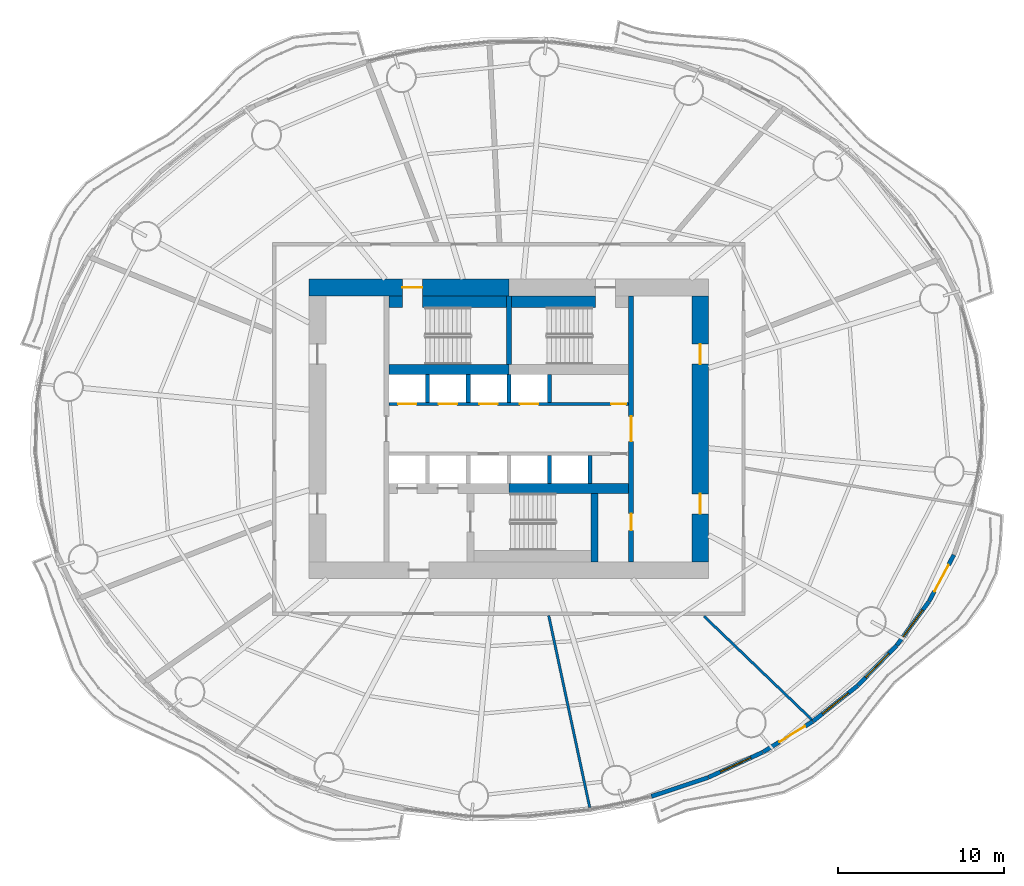
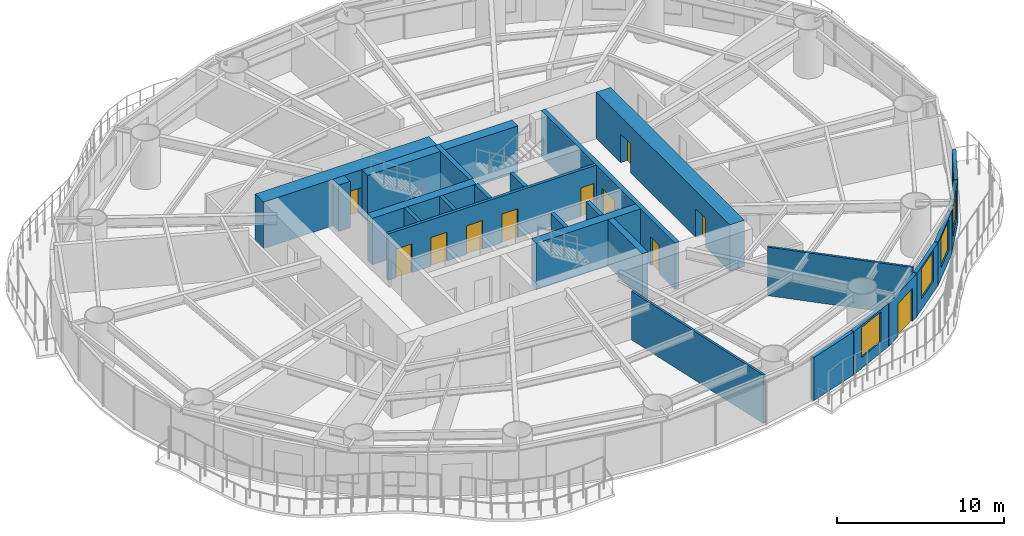
# One storey, part 9 of 16: 26 walls, 12 doors, 4 windows, 16 openings.
"""IFC4 building model written with IfcOpenShell, lengths in metres."""

from ifc_helpers import new_model, si_unit, direction, frame, frame_2d, origin, place, context, subcontext, project, spatial, rectangle, extrude, material, layer, layer_set, type_object, element, fill, save


model = new_model("IFC4")

# Units and contexts
model_context = context("Model", 3, precision=1e-05, world=origin(), true_north=direction((0.0, 1.0)))
body_context = subcontext(model_context, "Body", "Model", "MODEL_VIEW")
ifc_project = project(units=[si_unit("LENGTHUNIT", "METRE"), si_unit("AREAUNIT", "SQUARE_METRE"), si_unit("VOLUMEUNIT", "CUBIC_METRE"), si_unit("PLANEANGLEUNIT", "RADIAN"), si_unit("MASSUNIT", "GRAM", prefix="KILO")], contexts=[model_context])

# Site, building, storey
site_placement = place(None, origin())
site = spatial("IfcSite", under=ifc_project, at=site_placement, CompositionType="ELEMENT")
building_placement = place(site_placement, origin())
building = spatial("IfcBuilding", under=site, at=building_placement, Name="Vermilion Reach Broadcast Tower", CompositionType="ELEMENT")
storey_placement = place(building_placement, frame((0.0, 0.0, 47.10009765625)))
storey = spatial("IfcBuildingStorey", under=building, at=storey_placement, Name="L08", CompositionType="ELEMENT", Elevation=47.10009765625)

# Wall, openings, doors
ifc_material_1 = material(Name="Concrete C70", Category="concrete")
ifc_layer_1 = layer(ifc_material_1, 0.300048828125)
ifc_layer_set_1 = layer_set([ifc_layer_1], Name="Core inner wall 300 mm Concrete C70")
wall_type_1 = type_object("IfcWallType", Name="Core inner wall 300 mm Concrete C70", PredefinedType="SHEAR", material=ifc_layer_set_1)
wall_1_placement = place(storey_placement, frame((1.35009765625, -8.0, 0.0), z_axis=(0.0, 0.0, 1.0), x_axis=(0.0, 1.0, 0.0)))
wall_1 = element("IfcWall", 1, at=wall_1_placement, inside=storey, type_object=wall_type_1, Name="L08 core wall ewE", PredefinedType="SHEAR", context=body_context, shape_type="SweptSolid", body=[
    extrude(rectangle(XDim=16.0, YDim=0.300048828125, at=frame_2d((8.0, 0.0))), origin(), (0.0, 0.0, 1.0), 3.39990234375),
])
opening_1_placement = place(wall_1_placement, frame((1.909912109375, 0.0, 0.0)))
opening_1 = element("IfcOpeningElement", 2, at=opening_1_placement, cuts=wall_1, Name="Opening D05", PredefinedType="OPENING", context=body_context, shape_type="SweptSolid", body=[
    extrude(rectangle(XDim=1.0, YDim=2.10009765625, at=frame_2d((0.5, 1.050048828125))), frame((0.0, 0.159912109375, 0.0), z_axis=(0.0, -1.0, 0.0), x_axis=(1.0, 0.0, 0.0)), (0.0, 0.0, 1.0), 0.320068359375),
])
opening_2_placement = place(wall_1_placement, frame((7.25, 0.0, 0.0)))
opening_2 = element("IfcOpeningElement", 3, at=opening_2_placement, cuts=wall_1, Name="Opening D04", PredefinedType="OPENING", context=body_context, shape_type="SweptSolid", body=[
    extrude(rectangle(XDim=1.5, YDim=2.10009765625, at=frame_2d((0.75, 1.050048828125))), frame((0.0, 0.159912109375, 0.0), z_axis=(0.0, -1.0, 0.0), x_axis=(1.0, 0.0, 0.0)), (0.0, 0.0, 1.0), 0.320068359375),
])
ifc_material_2 = material(Name="Painted steel fire door", Category="steel")
door_type_1 = type_object("IfcDoorType", Name="Lift lobby door 1500 x 2100", OperationType="DOUBLE_DOOR_SINGLE_SWING", PredefinedType="NOTDEFINED", material=ifc_material_2)
door_1_placement = place(opening_2_placement, origin())
door_1 = element("IfcDoor", 4, at=door_1_placement, inside=storey, type_object=door_type_1, Name="L08 band door BE", OperationType="DOUBLE_DOOR_SINGLE_SWING", OverallHeight=2.10009765625, OverallWidth=1.5, PredefinedType="NOTDEFINED", context=body_context, shape_type="SweptSolid", body=[
    extrude(rectangle(XDim=1.5, YDim=2.10009765625, at=frame_2d((0.75, 1.050048828125))), frame((0.0, 0.02490234375, 0.0), z_axis=(0.0, -1.0, 0.0), x_axis=(1.0, 0.0, 0.0)), (0.0, 0.0, 1.0), 0.050048828125),
])
fill(opening_2, door_1)
ifc_material_3 = material(Name="Timber door", Category="wood")
door_type_2 = type_object("IfcDoorType", Name="Room door 1000 x 2100", OperationType="NOTDEFINED", PredefinedType="NOTDEFINED", material=ifc_material_3)
door_2_placement = place(opening_1_placement, origin())
door_2 = element("IfcDoor", 5, at=door_2_placement, inside=storey, type_object=door_type_2, Name="L08 door SER", OperationType="SINGLE_SWING_LEFT", OverallHeight=2.10009765625, OverallWidth=1.0, PredefinedType="NOTDEFINED", context=body_context, shape_type="SweptSolid", body=[
    extrude(rectangle(XDim=1.0, YDim=2.10009765625, at=frame_2d((0.5, 1.050048828125))), frame((0.0, 0.02490234375, 0.0), z_axis=(0.0, -1.0, 0.0), x_axis=(1.0, 0.0, 0.0)), (0.0, 0.0, 1.0), 0.050048828125),
])
fill(opening_1, door_2)

# Walls
wall_2_placement = place(storey_placement, frame((-6.0, 3.8798828125, 0.0), z_axis=(0.0, 0.0, 1.0), x_axis=(0.0, 1.0, 0.0)))
element("IfcWall", 6, at=wall_2_placement, inside=storey, type_object=wall_type_1, Name="L08 core wall wc", PredefinedType="SHEAR", context=body_context, shape_type="SweptSolid", body=[
    extrude(rectangle(XDim=4.1201171875, YDim=0.300048828125, at=frame_2d((2.06005859375, 0.0))), origin(), (0.0, 0.0, 1.0), 3.39990234375),
])
ifc_material_4 = material(Name="Concrete C70", Category="concrete")
ifc_layer_2 = layer(ifc_material_4, 0.39990234375)
ifc_layer_set_2 = layer_set([ifc_layer_2], Name="Core inner wall 400 mm Concrete C70")
wall_type_2 = type_object("IfcWallType", Name="Core inner wall 400 mm Concrete C70", PredefinedType="SHEAR", material=ifc_layer_set_2)
wall_3_placement = place(storey_placement, frame((-0.85009765625, -3.8798828125, 0.0), z_axis=(0.0, 0.0, 1.0), x_axis=(0.0, -1.0, 0.0)))
element("IfcWall", 7, at=wall_3_placement, inside=storey, type_object=wall_type_2, Name="L08 core wall wb", PredefinedType="SHEAR", context=body_context, shape_type="SweptSolid", body=[
    extrude(rectangle(XDim=4.1201171875, YDim=0.39990234375, at=frame_2d((2.06005859375, 0.0))), origin(), (0.0, 0.0, 1.0), 3.39990234375),
])
ifc_material_5 = material(Name="Concrete C70", Category="concrete")
ifc_layer_3 = layer(ifc_material_5, 0.60009765625)
ifc_layer_set_3 = layer_set([ifc_layer_3], Name="Core inner wall 600 mm Concrete C70")
wall_type_3 = type_object("IfcWallType", Name="Core inner wall 600 mm Concrete C70", PredefinedType="SHEAR", material=ifc_layer_set_3)
for number, where, z_axis, x_axis, name in (
    (8, (-13.199951171875, 3.580078125, 0.0), (0.0, 0.0, 1.0), (1.0, 0.0, 0.0), "L08 core wall winW"),
    (9, (-6.0, -3.580078125, 0.0), (0.0, 0.0, 1.0), (1.0, 0.0, 0.0), "L08 core wall wisE"),
):
    element("IfcWall", number, at=place(storey_placement, frame(where, z_axis=z_axis, x_axis=x_axis)), inside=storey, type_object=wall_type_3, Name=name, PredefinedType="SHEAR", context=body_context, shape_type="SweptSolid", body=[
        extrude(rectangle(XDim=7.199951171875, YDim=0.60009765625, at=frame_2d((3.60009765625, 0.0))), origin(), (0.0, 0.0, 1.0), 3.39990234375),
    ])

# Wall, opening, door
ifc_material_6 = material(Name="Concrete C70", Category="concrete")
ifc_layer_4 = layer(ifc_material_6, 1.0)
ifc_layer_set_4 = layer_set([ifc_layer_4], Name="Core outer wall 1000 mm Concrete C70")
wall_type_4 = type_object("IfcWallType", Name="Core outer wall 1000 mm Concrete C70", PredefinedType="SHEAR", material=ifc_layer_set_4)
wall_4_placement = place(storey_placement, frame((-6.0, 8.5, 0.0), z_axis=(0.0, 0.0, 1.0), x_axis=(-1.0, 0.0, 0.0)))
wall_4 = element("IfcWall", 10, at=wall_4_placement, inside=storey, type_object=wall_type_4, Name="L08 core wall onW", PredefinedType="SHEAR", context=body_context, shape_type="SweptSolid", body=[
    extrude(rectangle(XDim=12.0, YDim=1.0, at=frame_2d((6.0, 0.0))), origin(), (0.0, 0.0, 1.0), 3.39990234375),
])
opening_3_placement = place(wall_4_placement, frame((5.199951171875, 0.0, 0.0)))
opening_3 = element("IfcOpeningElement", 11, at=opening_3_placement, cuts=wall_4, Name="Opening D01", PredefinedType="OPENING", context=body_context, shape_type="SweptSolid", body=[
    extrude(rectangle(XDim=1.199951171875, YDim=2.10009765625, at=frame_2d((0.60009765625, 1.050048828125))), frame((0.0, 0.510009765625, 0.0), z_axis=(0.0, -1.0, 0.0), x_axis=(1.0, 0.0, 0.0)), (0.0, 0.0, 1.0), 1.02001953125),
])
ifc_material_7 = material(Name="Painted steel fire door", Category="steel")
door_type_3 = type_object("IfcDoorType", Name="Stair door 1200 x 2100", OperationType="DOUBLE_DOOR_SINGLE_SWING", PredefinedType="NOTDEFINED", material=ifc_material_7)
door_3_placement = place(opening_3_placement, origin())
door_3 = element("IfcDoor", 12, at=door_3_placement, inside=storey, type_object=door_type_3, Name="L08 stair door ST1", OperationType="DOUBLE_DOOR_SINGLE_SWING", OverallHeight=2.10009765625, OverallWidth=1.199951171875, PredefinedType="NOTDEFINED", context=body_context, shape_type="SweptSolid", body=[
    extrude(rectangle(XDim=1.199951171875, YDim=2.10009765625, at=frame_2d((0.60009765625, 1.050048828125))), frame((0.0, 0.02490234375, 0.0), z_axis=(0.0, -1.0, 0.0), x_axis=(1.0, 0.0, 0.0)), (0.0, 0.0, 1.0), 0.050048828125),
])
fill(opening_3, door_3)

# Wall, openings, doors
wall_5_placement = place(storey_placement, frame((5.5, -8.0, 0.0), z_axis=(0.0, 0.0, 1.0), x_axis=(0.0, 1.0, 0.0)))
wall_5 = element("IfcWall", 13, at=wall_5_placement, inside=storey, type_object=wall_type_4, Name="L08 core wall oe", PredefinedType="SHEAR", context=body_context, shape_type="SweptSolid", body=[
    extrude(rectangle(XDim=16.0, YDim=1.0, at=frame_2d((8.0, 0.0))), origin(), (0.0, 0.0, 1.0), 3.39990234375),
])
opening_4_placement = place(wall_5_placement, frame((2.89990234375, 0.0, 0.0)))
opening_4 = element("IfcOpeningElement", 14, at=opening_4_placement, cuts=wall_5, Name="Opening D03", PredefinedType="OPENING", context=body_context, shape_type="SweptSolid", body=[
    extrude(rectangle(XDim=1.199951171875, YDim=2.10009765625, at=frame_2d((0.60009765625, 1.050048828125))), frame((0.0, 0.510009765625, 0.0), z_axis=(0.0, -1.0, 0.0), x_axis=(1.0, 0.0, 0.0)), (0.0, 0.0, 1.0), 1.02001953125),
])
opening_5_placement = place(wall_5_placement, frame((11.89990234375, 0.0, 0.0)))
opening_5 = element("IfcOpeningElement", 15, at=opening_5_placement, cuts=wall_5, Name="Opening D03", PredefinedType="OPENING", context=body_context, shape_type="SweptSolid", body=[
    extrude(rectangle(XDim=1.199951171875, YDim=2.10009765625, at=frame_2d((0.60009765625, 1.050048828125))), frame((0.0, 0.510009765625, 0.0), z_axis=(0.0, -1.0, 0.0), x_axis=(1.0, 0.0, 0.0)), (0.0, 0.0, 1.0), 1.02001953125),
])
ifc_material_8 = material(Name="Painted steel fire door", Category="steel")
door_type_4 = type_object("IfcDoorType", Name="Core lobby door 1200 x 2100", OperationType="DOUBLE_DOOR_SINGLE_SWING", PredefinedType="NOTDEFINED", material=ifc_material_8)
door_4_placement = place(opening_4_placement, origin())
door_4 = element("IfcDoor", 16, at=door_4_placement, inside=storey, type_object=door_type_4, Name="L08 slot door E0", OperationType="DOUBLE_DOOR_SINGLE_SWING", OverallHeight=2.10009765625, OverallWidth=1.199951171875, PredefinedType="NOTDEFINED", context=body_context, shape_type="SweptSolid", body=[
    extrude(rectangle(XDim=1.199951171875, YDim=2.10009765625, at=frame_2d((0.60009765625, 1.050048828125))), frame((0.0, 0.02490234375, 0.0), z_axis=(0.0, -1.0, 0.0), x_axis=(1.0, 0.0, 0.0)), (0.0, 0.0, 1.0), 0.050048828125),
])
fill(opening_4, door_4)
door_5_placement = place(opening_5_placement, origin())
door_5 = element("IfcDoor", 17, at=door_5_placement, inside=storey, type_object=door_type_4, Name="L08 slot door E1", OperationType="DOUBLE_DOOR_SINGLE_SWING", OverallHeight=2.10009765625, OverallWidth=1.199951171875, PredefinedType="NOTDEFINED", context=body_context, shape_type="SweptSolid", body=[
    extrude(rectangle(XDim=1.199951171875, YDim=2.10009765625, at=frame_2d((0.60009765625, 1.050048828125))), frame((0.0, 0.02490234375, 0.0), z_axis=(0.0, -1.0, 0.0), x_axis=(1.0, 0.0, 0.0)), (0.0, 0.0, 1.0), 0.050048828125),
])
fill(opening_5, door_5)

ifc_material_9 = material(Name="Concrete C50", Category="concrete")
ifc_layer_5 = layer(ifc_material_9, 0.199951171875)
ifc_layer_set_5 = layer_set([ifc_layer_5], Name="Core shaft wall 200 mm Concrete C50")
wall_type_5 = type_object("IfcWallType", Name="Core shaft wall 200 mm Concrete C50", PredefinedType="SHEAR", material=ifc_layer_set_5)
wall_6_placement = place(storey_placement, frame((-13.199951171875, 1.5, 0.0), z_axis=(0.0, 0.0, 1.0), x_axis=(1.0, 0.0, 0.0)))
wall_6 = element("IfcWall", 18, at=wall_6_placement, inside=storey, type_object=wall_type_5, Name="L08 core wall fn", PredefinedType="SHEAR", context=body_context, shape_type="SweptSolid", body=[
    extrude(rectangle(XDim=14.39990234375, YDim=0.199951171875, at=frame_2d((7.199951171875, 0.0))), origin(), (0.0, 0.0, 1.0), 3.39990234375),
])
opening_6_placement = place(wall_6_placement, frame((0.5458984375, 0.0, 0.0)))
opening_6 = element("IfcOpeningElement", 19, at=opening_6_placement, cuts=wall_6, Name="Opening LD2", PredefinedType="OPENING", context=body_context, shape_type="SweptSolid", body=[
    extrude(rectangle(XDim=1.10009765625, YDim=2.10009765625, at=frame_2d((0.550048828125, 1.050048828125))), frame((0.0, 0.10986328125, 0.0), z_axis=(0.0, -1.0, 0.0), x_axis=(1.0, 0.0, 0.0)), (0.0, 0.0, 1.0), 0.219970703125),
])
opening_7_placement = place(wall_6_placement, frame((2.987548828125, 0.0, 0.0)))
opening_7 = element("IfcOpeningElement", 20, at=opening_7_placement, cuts=wall_6, Name="Opening LD2", PredefinedType="OPENING", context=body_context, shape_type="SweptSolid", body=[
    extrude(rectangle(XDim=1.10009765625, YDim=2.10009765625, at=frame_2d((0.550048828125, 1.050048828125))), frame((0.0, 0.10986328125, 0.0), z_axis=(0.0, -1.0, 0.0), x_axis=(1.0, 0.0, 0.0)), (0.0, 0.0, 1.0), 0.219970703125),
])
opening_8_placement = place(wall_6_placement, frame((5.42919921875, 0.0, 0.0)))
opening_8 = element("IfcOpeningElement", 21, at=opening_8_placement, cuts=wall_6, Name="Opening LD2", PredefinedType="OPENING", context=body_context, shape_type="SweptSolid", body=[
    extrude(rectangle(XDim=1.10009765625, YDim=2.10009765625, at=frame_2d((0.550048828125, 1.050048828125))), frame((0.0, 0.10986328125, 0.0), z_axis=(0.0, -1.0, 0.0), x_axis=(1.0, 0.0, 0.0)), (0.0, 0.0, 1.0), 0.219970703125),
])
opening_9_placement = place(wall_6_placement, frame((7.870849609375, 0.0, 0.0)))
opening_9 = element("IfcOpeningElement", 22, at=opening_9_placement, cuts=wall_6, Name="Opening LD2", PredefinedType="OPENING", context=body_context, shape_type="SweptSolid", body=[
    extrude(rectangle(XDim=1.10009765625, YDim=2.10009765625, at=frame_2d((0.550048828125, 1.050048828125))), frame((0.0, 0.10986328125, 0.0), z_axis=(0.0, -1.0, 0.0), x_axis=(1.0, 0.0, 0.0)), (0.0, 0.0, 1.0), 0.219970703125),
])
opening_10_placement = place(wall_6_placement, frame((13.35009765625, 0.0, 0.0)))
opening_10 = element("IfcOpeningElement", 23, at=opening_10_placement, cuts=wall_6, Name="Opening D06", PredefinedType="OPENING", context=body_context, shape_type="SweptSolid", body=[
    extrude(rectangle(XDim=0.89990234375, YDim=2.10009765625, at=frame_2d((0.449951171875, 1.050048828125))), frame((0.0, 0.10986328125, 0.0), z_axis=(0.0, -1.0, 0.0), x_axis=(1.0, 0.0, 0.0)), (0.0, 0.0, 1.0), 0.219970703125),
])
ifc_material_10 = material(Name="Stainless steel", Category="steel")
door_type_5 = type_object("IfcDoorType", Name="Landing door 1100 x 2100", OperationType="DOUBLE_DOOR_SLIDING", PredefinedType="NOTDEFINED", material=ifc_material_10)
door_6_placement = place(opening_6_placement, origin())
door_6 = element("IfcDoor", 24, at=door_6_placement, inside=storey, type_object=door_type_5, Name="L08 landing door LR1", OperationType="DOUBLE_DOOR_SLIDING", OverallHeight=2.10009765625, OverallWidth=1.10009765625, PredefinedType="NOTDEFINED", context=body_context, shape_type="SweptSolid", body=[
    extrude(rectangle(XDim=1.10009765625, YDim=2.10009765625, at=frame_2d((0.550048828125, 1.050048828125))), frame((0.0, 0.02490234375, 0.0), z_axis=(0.0, -1.0, 0.0), x_axis=(1.0, 0.0, 0.0)), (0.0, 0.0, 1.0), 0.050048828125),
])
fill(opening_6, door_6)
door_7_placement = place(opening_7_placement, origin())
door_7 = element("IfcDoor", 25, at=door_7_placement, inside=storey, type_object=door_type_5, Name="L08 landing door LR2", OperationType="DOUBLE_DOOR_SLIDING", OverallHeight=2.10009765625, OverallWidth=1.10009765625, PredefinedType="NOTDEFINED", context=body_context, shape_type="SweptSolid", body=[
    extrude(rectangle(XDim=1.10009765625, YDim=2.10009765625, at=frame_2d((0.550048828125, 1.050048828125))), frame((0.0, 0.02490234375, 0.0), z_axis=(0.0, -1.0, 0.0), x_axis=(1.0, 0.0, 0.0)), (0.0, 0.0, 1.0), 0.050048828125),
])
fill(opening_7, door_7)
door_8_placement = place(opening_8_placement, origin())
door_8 = element("IfcDoor", 26, at=door_8_placement, inside=storey, type_object=door_type_5, Name="L08 landing door LR3", OperationType="DOUBLE_DOOR_SLIDING", OverallHeight=2.10009765625, OverallWidth=1.10009765625, PredefinedType="NOTDEFINED", context=body_context, shape_type="SweptSolid", body=[
    extrude(rectangle(XDim=1.10009765625, YDim=2.10009765625, at=frame_2d((0.550048828125, 1.050048828125))), frame((0.0, 0.02490234375, 0.0), z_axis=(0.0, -1.0, 0.0), x_axis=(1.0, 0.0, 0.0)), (0.0, 0.0, 1.0), 0.050048828125),
])
fill(opening_8, door_8)
door_9_placement = place(opening_9_placement, origin())
door_9 = element("IfcDoor", 27, at=door_9_placement, inside=storey, type_object=door_type_5, Name="L08 landing door LR4", OperationType="DOUBLE_DOOR_SLIDING", OverallHeight=2.10009765625, OverallWidth=1.10009765625, PredefinedType="NOTDEFINED", context=body_context, shape_type="SweptSolid", body=[
    extrude(rectangle(XDim=1.10009765625, YDim=2.10009765625, at=frame_2d((0.550048828125, 1.050048828125))), frame((0.0, 0.02490234375, 0.0), z_axis=(0.0, -1.0, 0.0), x_axis=(1.0, 0.0, 0.0)), (0.0, 0.0, 1.0), 0.050048828125),
])
fill(opening_9, door_9)
ifc_material_11 = material(Name="Timber door", Category="wood")
door_type_6 = type_object("IfcDoorType", Name="WC door 900 x 2100", OperationType="NOTDEFINED", PredefinedType="NOTDEFINED", material=ifc_material_11)
door_10_placement = place(opening_10_placement, origin())
door_10 = element("IfcDoor", 28, at=door_10_placement, inside=storey, type_object=door_type_6, Name="L08 door Female WC", OperationType="SINGLE_SWING_RIGHT", OverallHeight=2.10009765625, OverallWidth=0.89990234375, PredefinedType="NOTDEFINED", context=body_context, shape_type="SweptSolid", body=[
    extrude(rectangle(XDim=0.89990234375, YDim=2.10009765625, at=frame_2d((0.449951171875, 1.050048828125))), frame((0.0, 0.02490234375, 0.0), z_axis=(0.0, -1.0, 0.0), x_axis=(1.0, 0.0, 0.0)), (0.0, 0.0, 1.0), 0.050048828125),
])
fill(opening_10, door_10)

# Walls
ifc_material_12 = material(Name="Concrete C50", Category="concrete")
ifc_layer_6 = layer(ifc_material_12, 0.25)
ifc_layer_set_6 = layer_set([ifc_layer_6], Name="Core shaft wall 250 mm Concrete C50")
wall_type_6 = type_object("IfcWallType", Name="Core shaft wall 250 mm Concrete C50", PredefinedType="SHEAR", material=ifc_layer_set_6)
for number, where, z_axis, x_axis, name in (
    (29, (-10.88330078125, 1.60009765625, 0.0), (0.0, 0.0, 1.0), (0.0, 1.0, 0.0), "L08 core wall psN0"),
    (30, (-8.441650390625, 1.60009765625, 0.0), (0.0, 0.0, 1.0), (0.0, 1.0, 0.0), "L08 core wall psN1"),
    (31, (-6.0, 1.60009765625, 0.0), (0.0, 0.0, 1.0), (0.0, 1.0, 0.0), "L08 core wall psN2"),
    (32, (-3.558349609375, 1.60009765625, 0.0), (0.0, 0.0, 1.0), (0.0, 1.0, 0.0), "L08 core wall psN3"),
    (33, (-3.558349609375, -1.60009765625, 0.0), (0.0, 0.0, 1.0), (0.0, -1.0, 0.0), "L08 core wall psS3"),
    (34, (-1.11669921875, -1.60009765625, 0.0), (0.0, 0.0, 1.0), (0.0, -1.0, 0.0), "L08 core wall psS4"),
):
    element("IfcWall", number, at=place(storey_placement, frame(where, z_axis=z_axis, x_axis=x_axis)), inside=storey, type_object=wall_type_6, Name=name, PredefinedType="SHEAR", context=body_context, shape_type="SweptSolid", body=[
        extrude(rectangle(XDim=1.679931640625, YDim=0.25, at=frame_2d((0.83984375, 0.0))), origin(), (0.0, 0.0, 1.0), 3.39990234375),
    ])
ifc_material_13 = material(Name="Concrete C70", Category="concrete")
ifc_layer_7 = layer(ifc_material_13, 0.699951171875)
ifc_layer_set_7 = layer_set([ifc_layer_7], Name="Core stair wall 700 mm Concrete C70")
wall_type_7 = type_object("IfcWallType", Name="Core stair wall 700 mm Concrete C70", PredefinedType="SHEAR", material=ifc_layer_set_7)
wall_7_placement = place(storey_placement, frame((-13.199951171875, 7.64990234375, 0.0), z_axis=(0.0, 0.0, 1.0), x_axis=(1.0, 0.0, 0.0)))
element("IfcWall", 35, at=wall_7_placement, inside=storey, type_object=wall_type_7, Name="L08 core wall l1a", PredefinedType="SHEAR", context=body_context, shape_type="SweptSolid", body=[
    extrude(rectangle(XDim=0.800048828125, YDim=0.699951171875, at=frame_2d((0.39990234375, 0.0))), origin(), (0.0, 0.0, 1.0), 3.39990234375),
])
for number, where, z_axis, x_axis, name in (
    (36, (-11.199951171875, 7.64990234375, 0.0), (0.0, 0.0, 1.0), (1.0, 0.0, 0.0), "L08 core wall l1b"),
    (37, (-5.85009765625, 7.64990234375, 0.0), (0.0, 0.0, 1.0), (1.0, 0.0, 0.0), "L08 core wall l2a"),
):
    element("IfcWall", number, at=place(storey_placement, frame(where, z_axis=z_axis, x_axis=x_axis)), inside=storey, type_object=wall_type_7, Name=name, PredefinedType="SHEAR", context=body_context, shape_type="SweptSolid", body=[
        extrude(rectangle(XDim=5.050048828125, YDim=0.699951171875, at=frame_2d((2.52490234375, 0.0))), origin(), (0.0, 0.0, 1.0), 3.39990234375),
    ])
ifc_material_14 = material(Name="Lightweight concrete block, plastered", Category="concrete")
ifc_layer_8 = layer(ifc_material_14, 0.14990234375)
ifc_layer_set_8 = layer_set([ifc_layer_8], Name="Partition 150 lightweight block")
wall_type_8 = type_object("IfcWallType", Name="Partition 150 lightweight block", PredefinedType="PARTITIONING", material=ifc_layer_set_8)
wall_8_placement = place(storey_placement, frame((-1.1376953125, -22.755859375, 0.0), z_axis=(0.0, 0.0, 1.0), x_axis=(-0.208954012669, 0.977925467809, 0.0)))
element("IfcWall", 38, at=wall_8_placement, inside=storey, type_object=wall_type_8, Name="Partition 8.09", PredefinedType="PARTITIONING", context=body_context, shape_type="SweptSolid", body=[
    extrude(rectangle(XDim=11.80078125, YDim=0.14990234375, at=frame_2d((5.900390625, 0.0))), origin(), (0.0, 0.0, 1.0), 3.5498046875),
])
wall_9_placement = place(storey_placement, frame((12.20361328125, -17.467529296875, 0.0), z_axis=(0.0, 0.0, 1.0), x_axis=(-0.721538439263, 0.692374378978, 0.0)))
element("IfcWall", 39, at=wall_9_placement, inside=storey, type_object=wall_type_8, Name="Partition 8.10", PredefinedType="PARTITIONING", context=body_context, shape_type="SweptSolid", body=[
    extrude(rectangle(XDim=8.97412109375, YDim=0.14990234375, at=frame_2d((4.487060546875, 0.0))), origin(), (0.0, 0.0, 1.0), 3.5498046875),
])
ifc_material_15 = material(Name="Terracotta rainscreen cladding", Category="masonry")
ifc_layer_9 = layer(ifc_material_15, 0.25)
ifc_layer_set_9 = layer_set([ifc_layer_9], Name="Terracotta rainscreen wall 250")
wall_type_9 = type_object("IfcWallType", Name="Terracotta rainscreen wall 250", PredefinedType="SOLIDWALL", material=ifc_layer_set_9)
wall_10_placement = place(storey_placement, frame((2.5615234375, -22.081787109375, 0.0), z_axis=(0.0, 0.0, 1.0), x_axis=(0.948744266755, 0.316044801096, 0.0)))
element("IfcWall", 40, at=wall_10_placement, inside=storey, type_object=wall_type_9, Name="External wall L08 38", PredefinedType="SOLIDWALL", context=body_context, shape_type="SweptSolid", body=[
    extrude(rectangle(XDim=3.602783203125, YDim=0.25, at=frame_2d((1.80126953125, 0.0))), origin(), (0.0, 0.0, 1.0), 3.14990234375),
])

# Wall, opening, window
wall_11_placement = place(storey_placement, frame((6.000244140625, -20.934814453125, 0.0), z_axis=(0.0, 0.0, 1.0), x_axis=(0.90717882077, 0.420745275845, 0.0)))
wall_11 = element("IfcWall", 41, at=wall_11_placement, inside=storey, type_object=wall_type_9, Name="External wall L08 39", PredefinedType="SOLIDWALL", context=body_context, shape_type="SweptSolid", body=[
    extrude(rectangle(XDim=3.586669921875, YDim=0.25, at=frame_2d((1.79345703125, 0.0))), origin(), (0.0, 0.0, 1.0), 3.14990234375),
])
opening_11_placement = place(wall_11_placement, frame((0.79345703125, 0.0, 0.800048828125)))
opening_11 = element("IfcOpeningElement", 42, at=opening_11_placement, cuts=wall_11, Name="Opening W01", PredefinedType="OPENING", context=body_context, shape_type="SweptSolid", body=[
    extrude(rectangle(XDim=2.0, YDim=2.199951171875, at=frame_2d((1.0, 1.10009765625))), frame((0.0, 0.135009765625, 0.0), z_axis=(0.0, -1.0, 0.0), x_axis=(1.0, 0.0, 0.0)), (0.0, 0.0, 1.0), 0.27001953125),
])
ifc_material_16 = material(Name="Low-e laminated clear glass in aluminium frame", Category="aluminium")
window_type = type_object("IfcWindowType", Name="Punched window 2000 x 2200 sill 800", PartitioningType="SINGLE_PANEL", PredefinedType="WINDOW", material=ifc_material_16)
window_1_placement = place(opening_11_placement, origin())
window_1 = element("IfcWindow", 43, at=window_1_placement, inside=storey, type_object=window_type, Name="Window L08 39", OverallHeight=2.199951171875, OverallWidth=2.0, PartitioningType="SINGLE_PANEL", PredefinedType="WINDOW", context=body_context, shape_type="SweptSolid", body=[
    extrude(rectangle(XDim=2.0, YDim=2.199951171875, at=frame_2d((1.0, 1.10009765625))), frame((0.0, 0.030029296875, 0.0), z_axis=(0.0, -1.0, 0.0), x_axis=(1.0, 0.0, 0.0)), (0.0, 0.0, 1.0), 0.06005859375),
])
fill(opening_11, window_1)

# Wall, opening, door
wall_12_placement = place(storey_placement, frame((9.27392578125, -19.4150390625, 0.0), z_axis=(0.0, 0.0, 1.0), x_axis=(0.851885012521, 0.523728866344, 0.0)))
wall_12 = element("IfcWall", 44, at=wall_12_placement, inside=storey, type_object=wall_type_9, Name="External wall L08 40", PredefinedType="SOLIDWALL", context=body_context, shape_type="SweptSolid", body=[
    extrude(rectangle(XDim=3.511474609375, YDim=0.25, at=frame_2d((1.755859375, 0.0))), origin(), (0.0, 0.0, 1.0), 3.14990234375),
])
opening_12_placement = place(wall_12_placement, frame((1.156005859375, 0.0, 0.0)))
opening_12 = element("IfcOpeningElement", 45, at=opening_12_placement, cuts=wall_12, Name="Opening D70", PredefinedType="OPENING", context=body_context, shape_type="SweptSolid", body=[
    extrude(rectangle(XDim=1.800048828125, YDim=2.39990234375, at=frame_2d((0.89990234375, 1.199951171875))), frame((0.0, 0.135009765625, 0.0), z_axis=(0.0, -1.0, 0.0), x_axis=(1.0, 0.0, 0.0)), (0.0, 0.0, 1.0), 0.27001953125),
])
ifc_material_17 = material(Name="Low-e laminated clear glass in aluminium frame", Category="aluminium")
door_type_7 = type_object("IfcDoorType", Name="Balcony sliding door 1800 x 2400", OperationType="DOUBLE_DOOR_SLIDING", PredefinedType="DOOR", material=ifc_material_17)
door_11_placement = place(opening_12_placement, origin())
door_11 = element("IfcDoor", 46, at=door_11_placement, inside=storey, type_object=door_type_7, Name="Balcony door L08 run 10", OperationType="DOUBLE_DOOR_SLIDING", OverallHeight=2.39990234375, OverallWidth=1.800048828125, PredefinedType="DOOR", context=body_context, shape_type="SweptSolid", body=[
    extrude(rectangle(XDim=1.800048828125, YDim=2.39990234375, at=frame_2d((0.89990234375, 1.199951171875))), frame((0.0, 0.02490234375, 0.0), z_axis=(0.0, -1.0, 0.0), x_axis=(1.0, 0.0, 0.0)), (0.0, 0.0, 1.0), 0.050048828125),
])
fill(opening_12, door_11)

# Wall, opening, window
wall_13_placement = place(storey_placement, frame((12.284423828125, -17.5625, 0.0), z_axis=(0.0, 0.0, 1.0), x_axis=(0.78173709479, 0.623608141888, 0.0)))
wall_13 = element("IfcWall", 47, at=wall_13_placement, inside=storey, type_object=wall_type_9, Name="External wall L08 41", PredefinedType="SOLIDWALL", context=body_context, shape_type="SweptSolid", body=[
    extrude(rectangle(XDim=3.426025390625, YDim=0.25, at=frame_2d((1.712890625, 0.0))), origin(), (0.0, 0.0, 1.0), 3.14990234375),
])
opening_13_placement = place(wall_13_placement, frame((0.712890625, 0.0, 0.800048828125)))
opening_13 = element("IfcOpeningElement", 48, at=opening_13_placement, cuts=wall_13, Name="Opening W01", PredefinedType="OPENING", context=body_context, shape_type="SweptSolid", body=[
    extrude(rectangle(XDim=2.0, YDim=2.199951171875, at=frame_2d((1.0, 1.10009765625))), frame((0.0, 0.135009765625, 0.0), z_axis=(0.0, -1.0, 0.0), x_axis=(1.0, 0.0, 0.0)), (0.0, 0.0, 1.0), 0.27001953125),
])
window_2_placement = place(opening_13_placement, origin())
window_2 = element("IfcWindow", 49, at=window_2_placement, inside=storey, type_object=window_type, Name="Window L08 41", OverallHeight=2.199951171875, OverallWidth=2.0, PartitioningType="SINGLE_PANEL", PredefinedType="WINDOW", context=body_context, shape_type="SweptSolid", body=[
    extrude(rectangle(XDim=2.0, YDim=2.199951171875, at=frame_2d((1.0, 1.10009765625))), frame((0.0, 0.030029296875, 0.0), z_axis=(0.0, -1.0, 0.0), x_axis=(1.0, 0.0, 0.0)), (0.0, 0.0, 1.0), 0.06005859375),
])
fill(opening_13, window_2)

wall_14_placement = place(storey_placement, frame((14.98046875, -15.40966796875, 0.0), z_axis=(0.0, 0.0, 1.0), x_axis=(0.695444598624, 0.718579717391, 0.0)))
wall_14 = element("IfcWall", 50, at=wall_14_placement, inside=storey, type_object=wall_type_9, Name="External wall L08 42", PredefinedType="SOLIDWALL", context=body_context, shape_type="SweptSolid", body=[
    extrude(rectangle(XDim=3.334716796875, YDim=0.25, at=frame_2d((1.66748046875, 0.0))), origin(), (0.0, 0.0, 1.0), 3.14990234375),
])
opening_14_placement = place(wall_14_placement, frame((0.66748046875, 0.0, 0.800048828125)))
opening_14 = element("IfcOpeningElement", 51, at=opening_14_placement, cuts=wall_14, Name="Opening W01", PredefinedType="OPENING", context=body_context, shape_type="SweptSolid", body=[
    extrude(rectangle(XDim=2.0, YDim=2.199951171875, at=frame_2d((1.0, 1.10009765625))), frame((0.0, 0.135009765625, 0.0), z_axis=(0.0, -1.0, 0.0), x_axis=(1.0, 0.0, 0.0)), (0.0, 0.0, 1.0), 0.27001953125),
])
window_3_placement = place(opening_14_placement, origin())
window_3 = element("IfcWindow", 52, at=window_3_placement, inside=storey, type_object=window_type, Name="Window L08 42", OverallHeight=2.199951171875, OverallWidth=2.0, PartitioningType="SINGLE_PANEL", PredefinedType="WINDOW", context=body_context, shape_type="SweptSolid", body=[
    extrude(rectangle(XDim=2.0, YDim=2.199951171875, at=frame_2d((1.0, 1.10009765625))), frame((0.0, 0.030029296875, 0.0), z_axis=(0.0, -1.0, 0.0), x_axis=(1.0, 0.0, 0.0)), (0.0, 0.0, 1.0), 0.06005859375),
])
fill(opening_14, window_3)

wall_15_placement = place(storey_placement, frame((17.315673828125, -12.994384765625, 0.0), z_axis=(0.0, 0.0, 1.0), x_axis=(0.592218050456, 0.805777748957, 0.0)))
wall_15 = element("IfcWall", 53, at=wall_15_placement, inside=storey, type_object=wall_type_9, Name="External wall L08 43", PredefinedType="SOLIDWALL", context=body_context, shape_type="SweptSolid", body=[
    extrude(rectangle(XDim=3.244384765625, YDim=0.25, at=frame_2d((1.6220703125, 0.0))), origin(), (0.0, 0.0, 1.0), 3.14990234375),
])
opening_15_placement = place(wall_15_placement, frame((0.6220703125, 0.0, 0.800048828125)))
opening_15 = element("IfcOpeningElement", 54, at=opening_15_placement, cuts=wall_15, Name="Opening W01", PredefinedType="OPENING", context=body_context, shape_type="SweptSolid", body=[
    extrude(rectangle(XDim=2.0, YDim=2.199951171875, at=frame_2d((1.0, 1.10009765625))), frame((0.0, 0.135009765625, 0.0), z_axis=(0.0, -1.0, 0.0), x_axis=(1.0, 0.0, 0.0)), (0.0, 0.0, 1.0), 0.27001953125),
])
window_4_placement = place(opening_15_placement, origin())
window_4 = element("IfcWindow", 55, at=window_4_placement, inside=storey, type_object=window_type, Name="Window L08 43", OverallHeight=2.199951171875, OverallWidth=2.0, PartitioningType="SINGLE_PANEL", PredefinedType="WINDOW", context=body_context, shape_type="SweptSolid", body=[
    extrude(rectangle(XDim=2.0, YDim=2.199951171875, at=frame_2d((1.0, 1.10009765625))), frame((0.0, 0.030029296875, 0.0), z_axis=(0.0, -1.0, 0.0), x_axis=(1.0, 0.0, 0.0)), (0.0, 0.0, 1.0), 0.06005859375),
])
fill(opening_15, window_4)

# Wall, opening, door
wall_16_placement = place(storey_placement, frame((19.250732421875, -10.3583984375, 0.0), z_axis=(0.0, 0.0, 1.0), x_axis=(0.47194273939, 0.88162920252, 0.0)))
wall_16 = element("IfcWall", 56, at=wall_16_placement, inside=storey, type_object=wall_type_9, Name="External wall L08 44", PredefinedType="SOLIDWALL", context=body_context, shape_type="SweptSolid", body=[
    extrude(rectangle(XDim=3.16064453125, YDim=0.25, at=frame_2d((1.580322265625, 0.0))), origin(), (0.0, 0.0, 1.0), 3.14990234375),
])
opening_16_placement = place(wall_16_placement, frame((0.679931640625, 0.0, 0.0)))
opening_16 = element("IfcOpeningElement", 57, at=opening_16_placement, cuts=wall_16, Name="Opening D70", PredefinedType="OPENING", context=body_context, shape_type="SweptSolid", body=[
    extrude(rectangle(XDim=1.800048828125, YDim=2.39990234375, at=frame_2d((0.89990234375, 1.199951171875))), frame((0.0, 0.135009765625, 0.0), z_axis=(0.0, -1.0, 0.0), x_axis=(1.0, 0.0, 0.0)), (0.0, 0.0, 1.0), 0.27001953125),
])
door_12_placement = place(opening_16_placement, origin())
door_12 = element("IfcDoor", 58, at=door_12_placement, inside=storey, type_object=door_type_7, Name="Balcony door L08 run 11", OperationType="DOUBLE_DOOR_SLIDING", OverallHeight=2.39990234375, OverallWidth=1.800048828125, PredefinedType="DOOR", context=body_context, shape_type="SweptSolid", body=[
    extrude(rectangle(XDim=1.800048828125, YDim=2.39990234375, at=frame_2d((0.89990234375, 1.199951171875))), frame((0.0, 0.02490234375, 0.0), z_axis=(0.0, -1.0, 0.0), x_axis=(1.0, 0.0, 0.0)), (0.0, 0.0, 1.0), 0.050048828125),
])
fill(opening_16, door_12)

save(model, "model.ifc")
